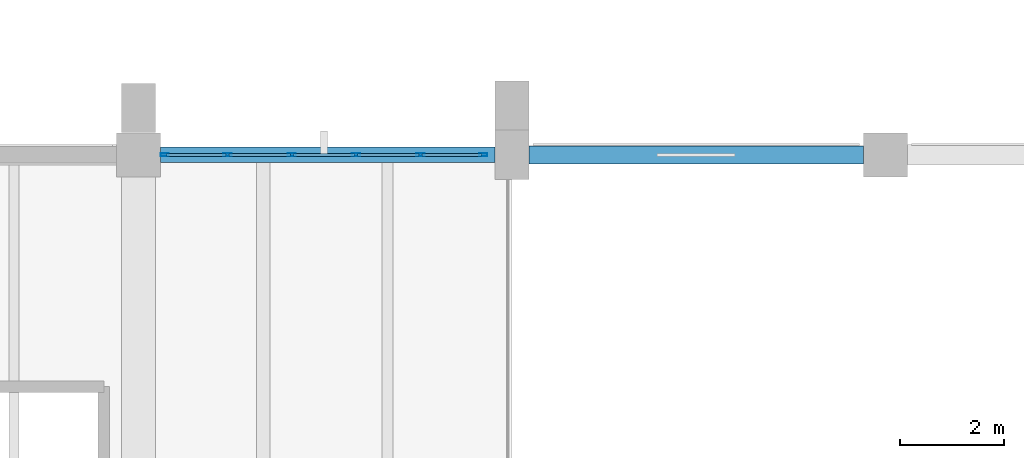
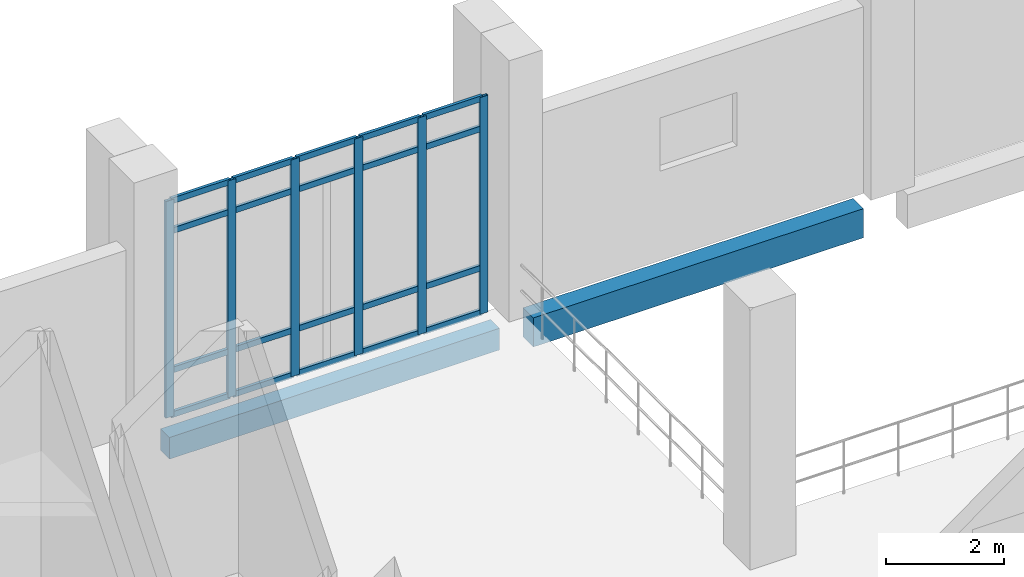
# One storey, part 56 of 110: 26 members, 2 beams, 1 element without a shape of its own.
"""IFC4 building model written with IfcOpenShell, lengths in metres."""

from ifc_helpers import new_model, si_unit, direction, frame, origin, origin_2d, place, context, subcontext, project, spatial, rectangle, hollow_rectangle, extrude, material, material_profile, profile_set, type_object, element, aggregate, save


model = new_model("IFC4")

# Units and contexts
model_context = context("Model", 3, precision=1e-05, world=origin(), true_north=direction((0.0, 1.0)))
body_context = subcontext(model_context, "Body", "Model", "MODEL_VIEW")
ifc_project = project(units=[si_unit("LENGTHUNIT", "METRE"), si_unit("AREAUNIT", "SQUARE_METRE"), si_unit("VOLUMEUNIT", "CUBIC_METRE"), si_unit("PLANEANGLEUNIT", "RADIAN"), si_unit("MASSUNIT", "GRAM", prefix="KILO")], contexts=[model_context])

# Site, building, storey
site_placement = place(None, origin())
site = spatial("IfcSite", under=ifc_project, at=site_placement, CompositionType="ELEMENT")
building_placement = place(site_placement, origin())
building = spatial("IfcBuilding", under=site, at=building_placement, Name="Kalluvel Institute of Natural Sciences", CompositionType="ELEMENT")
storey_placement = place(building_placement, origin())
storey = spatial("IfcBuildingStorey", under=building, at=storey_placement, Name="L00", CompositionType="ELEMENT", Elevation=0.0)

# Curtain wall, members
ifc_material_1 = material(Name="Aluminium AW-6063 T6", Category="aluminium")
curtain_wall_type = type_object("IfcCurtainWallType", Name="CW-WET-54", PredefinedType="USERDEFINED", material=ifc_material_1)
curtain_wall_placement = place(storey_placement, origin())
curtain_wall = element("IfcCurtainWall", 1, at=curtain_wall_placement, inside=storey, type_object=curtain_wall_type, Name="L00 Gothic lancet curtain wall CWA-L00-X793-Y1280", ObjectType="UNITISED LANCET FACADE", PredefinedType="USERDEFINED")
ifc_material_profile_1 = material_profile(ifc_material_1, hollow_rectangle(XDim=0.06005859375, YDim=0.159912109375, WallThickness=0.00390625, at=origin_2d()), Name="CWM 60x160")
ifc_profile_set_1 = profile_set([ifc_material_profile_1], Name="Aluminium AW-6063 T6")
member_type_1 = type_object("IfcMemberType", Name="CWM-60x160", PredefinedType="MULLION", material=ifc_profile_set_1)
member_1_placement = place(storey_placement, frame((79.304931640625, 128.0, 0.0), z_axis=(0.0, 0.0, 1.0), x_axis=(0.0, 1.0, 0.0)))
member_1 = element("IfcMember", 2, at=member_1_placement, type_object=member_type_1, Name="CW-02 mullion 1", PredefinedType="MULLION", context=body_context, shape_type="SweptSolid", body=[
    extrude(hollow_rectangle(XDim=0.06005859375, YDim=0.159912109375, WallThickness=0.00390625, at=origin_2d()), origin(), (0.0, 0.0, 1.0), 4.47998046875),
])
member_2_placement = place(storey_placement, frame((80.514892578125, 128.0, 0.0), z_axis=(0.0, 0.0, 1.0), x_axis=(0.0, 1.0, 0.0)))
member_2 = element("IfcMember", 3, at=member_2_placement, type_object=member_type_1, Name="CW-02 mullion 2", PredefinedType="MULLION", context=body_context, shape_type="SweptSolid", body=[
    extrude(hollow_rectangle(XDim=0.06005859375, YDim=0.159912109375, WallThickness=0.00390625, at=origin_2d()), origin(), (0.0, 0.0, 1.0), 4.47998046875),
])
member_3_placement = place(storey_placement, frame((81.7548828125, 128.0, 0.0), z_axis=(0.0, 0.0, 1.0), x_axis=(0.0, 1.0, 0.0)))
member_3 = element("IfcMember", 4, at=member_3_placement, type_object=member_type_1, Name="CW-02 mullion 3", PredefinedType="MULLION", context=body_context, shape_type="SweptSolid", body=[
    extrude(hollow_rectangle(XDim=0.06005859375, YDim=0.159912109375, WallThickness=0.00390625, at=origin_2d()), origin(), (0.0, 0.0, 1.0), 4.47998046875),
])
member_4_placement = place(storey_placement, frame((82.9951171875, 128.0, 0.0), z_axis=(0.0, 0.0, 1.0), x_axis=(0.0, 1.0, 0.0)))
member_4 = element("IfcMember", 5, at=member_4_placement, type_object=member_type_1, Name="CW-02 mullion 4", PredefinedType="MULLION", context=body_context, shape_type="SweptSolid", body=[
    extrude(hollow_rectangle(XDim=0.06005859375, YDim=0.159912109375, WallThickness=0.00390625, at=origin_2d()), origin(), (0.0, 0.0, 1.0), 4.47998046875),
])
member_5_placement = place(storey_placement, frame((84.235107421875, 128.0, 0.0), z_axis=(0.0, 0.0, 1.0), x_axis=(0.0, 1.0, 0.0)))
member_5 = element("IfcMember", 6, at=member_5_placement, type_object=member_type_1, Name="CW-02 mullion 5", PredefinedType="MULLION", context=body_context, shape_type="SweptSolid", body=[
    extrude(hollow_rectangle(XDim=0.06005859375, YDim=0.159912109375, WallThickness=0.00390625, at=origin_2d()), origin(), (0.0, 0.0, 1.0), 4.47998046875),
])
member_6_placement = place(storey_placement, frame((85.445068359375, 128.0, 0.0), z_axis=(0.0, 0.0, 1.0), x_axis=(0.0, 1.0, 0.0)))
member_6 = element("IfcMember", 7, at=member_6_placement, type_object=member_type_1, Name="CW-02 mullion 6", PredefinedType="MULLION", context=body_context, shape_type="SweptSolid", body=[
    extrude(hollow_rectangle(XDim=0.06005859375, YDim=0.159912109375, WallThickness=0.00390625, at=origin_2d()), origin(), (0.0, 0.0, 1.0), 4.47998046875),
])
ifc_material_profile_2 = material_profile(ifc_material_1, hollow_rectangle(XDim=0.06005859375, YDim=0.1201171875, WallThickness=0.00390625, at=origin_2d()), Name="CWT 60x120")
ifc_profile_set_2 = profile_set([ifc_material_profile_2], Name="Aluminium AW-6063 T6")
member_type_2 = type_object("IfcMemberType", Name="CWT-60x120", PredefinedType="USERDEFINED", material=ifc_profile_set_2)
member_7_placement = place(storey_placement, frame((79.3349609375, 128.0, 0.030029296875), z_axis=(1.0, 0.0, 0.0), x_axis=(0.0, 1.0, 0.0)))
member_7 = element("IfcMember", 8, at=member_7_placement, type_object=member_type_2, Name="CW-02 transom 1.1", ObjectType="TRANSOM", PredefinedType="USERDEFINED", context=body_context, shape_type="SweptSolid", body=[
    extrude(hollow_rectangle(XDim=0.06005859375, YDim=0.1201171875, WallThickness=0.00390625, at=origin_2d()), origin(), (0.0, 0.0, 1.0), 1.150146484375),
])
member_8_placement = place(storey_placement, frame((79.3349609375, 128.0, 0.949951171875), z_axis=(1.0, 0.0, 0.0), x_axis=(0.0, 1.0, 0.0)))
member_8 = element("IfcMember", 9, at=member_8_placement, type_object=member_type_2, Name="CW-02 transom 1.2", ObjectType="TRANSOM", PredefinedType="USERDEFINED", context=body_context, shape_type="SweptSolid", body=[
    extrude(hollow_rectangle(XDim=0.06005859375, YDim=0.1201171875, WallThickness=0.00390625, at=origin_2d()), origin(), (0.0, 0.0, 1.0), 1.150146484375),
])
member_9_placement = place(storey_placement, frame((79.3349609375, 128.0, 3.830078125), z_axis=(1.0, 0.0, 0.0), x_axis=(0.0, 1.0, 0.0)))
member_9 = element("IfcMember", 10, at=member_9_placement, type_object=member_type_2, Name="CW-02 transom 1.3", ObjectType="TRANSOM", PredefinedType="USERDEFINED", context=body_context, shape_type="SweptSolid", body=[
    extrude(hollow_rectangle(XDim=0.06005859375, YDim=0.1201171875, WallThickness=0.00390625, at=origin_2d()), origin(), (0.0, 0.0, 1.0), 1.150146484375),
])
member_10_placement = place(storey_placement, frame((79.3349609375, 128.0, 4.449951171875), z_axis=(1.0, 0.0, 0.0), x_axis=(0.0, 1.0, 0.0)))
member_10 = element("IfcMember", 11, at=member_10_placement, type_object=member_type_2, Name="CW-02 transom 1.4", ObjectType="TRANSOM", PredefinedType="USERDEFINED", context=body_context, shape_type="SweptSolid", body=[
    extrude(hollow_rectangle(XDim=0.06005859375, YDim=0.1201171875, WallThickness=0.00390625, at=origin_2d()), origin(), (0.0, 0.0, 1.0), 1.150146484375),
])
member_11_placement = place(storey_placement, frame((80.544921875, 128.0, 0.030029296875), z_axis=(1.0, 0.0, 0.0), x_axis=(0.0, 1.0, 0.0)))
member_11 = element("IfcMember", 12, at=member_11_placement, type_object=member_type_2, Name="CW-02 transom 2.1", ObjectType="TRANSOM", PredefinedType="USERDEFINED", context=body_context, shape_type="SweptSolid", body=[
    extrude(hollow_rectangle(XDim=0.06005859375, YDim=0.1201171875, WallThickness=0.00390625, at=origin_2d()), origin(), (0.0, 0.0, 1.0), 1.18017578125),
])
member_12_placement = place(storey_placement, frame((80.544921875, 128.0, 0.949951171875), z_axis=(1.0, 0.0, 0.0), x_axis=(0.0, 1.0, 0.0)))
member_12 = element("IfcMember", 13, at=member_12_placement, type_object=member_type_2, Name="CW-02 transom 2.2", ObjectType="TRANSOM", PredefinedType="USERDEFINED", context=body_context, shape_type="SweptSolid", body=[
    extrude(hollow_rectangle(XDim=0.06005859375, YDim=0.1201171875, WallThickness=0.00390625, at=origin_2d()), origin(), (0.0, 0.0, 1.0), 1.18017578125),
])
member_13_placement = place(storey_placement, frame((80.544921875, 128.0, 3.830078125), z_axis=(1.0, 0.0, 0.0), x_axis=(0.0, 1.0, 0.0)))
member_13 = element("IfcMember", 14, at=member_13_placement, type_object=member_type_2, Name="CW-02 transom 2.3", ObjectType="TRANSOM", PredefinedType="USERDEFINED", context=body_context, shape_type="SweptSolid", body=[
    extrude(hollow_rectangle(XDim=0.06005859375, YDim=0.1201171875, WallThickness=0.00390625, at=origin_2d()), origin(), (0.0, 0.0, 1.0), 1.18017578125),
])
member_14_placement = place(storey_placement, frame((80.544921875, 128.0, 4.449951171875), z_axis=(1.0, 0.0, 0.0), x_axis=(0.0, 1.0, 0.0)))
member_14 = element("IfcMember", 15, at=member_14_placement, type_object=member_type_2, Name="CW-02 transom 2.4", ObjectType="TRANSOM", PredefinedType="USERDEFINED", context=body_context, shape_type="SweptSolid", body=[
    extrude(hollow_rectangle(XDim=0.06005859375, YDim=0.1201171875, WallThickness=0.00390625, at=origin_2d()), origin(), (0.0, 0.0, 1.0), 1.18017578125),
])
member_15_placement = place(storey_placement, frame((81.784912109375, 128.0, 0.030029296875), z_axis=(1.0, 0.0, 0.0), x_axis=(0.0, 1.0, 0.0)))
member_15 = element("IfcMember", 16, at=member_15_placement, type_object=member_type_2, Name="CW-02 transom 3.1", ObjectType="TRANSOM", PredefinedType="USERDEFINED", context=body_context, shape_type="SweptSolid", body=[
    extrude(hollow_rectangle(XDim=0.06005859375, YDim=0.1201171875, WallThickness=0.00390625, at=origin_2d()), origin(), (0.0, 0.0, 1.0), 1.18017578125),
])
member_16_placement = place(storey_placement, frame((81.784912109375, 128.0, 0.949951171875), z_axis=(1.0, 0.0, 0.0), x_axis=(0.0, 1.0, 0.0)))
member_16 = element("IfcMember", 17, at=member_16_placement, type_object=member_type_2, Name="CW-02 transom 3.2", ObjectType="TRANSOM", PredefinedType="USERDEFINED", context=body_context, shape_type="SweptSolid", body=[
    extrude(hollow_rectangle(XDim=0.06005859375, YDim=0.1201171875, WallThickness=0.00390625, at=origin_2d()), origin(), (0.0, 0.0, 1.0), 1.18017578125),
])
member_17_placement = place(storey_placement, frame((81.784912109375, 128.0, 3.830078125), z_axis=(1.0, 0.0, 0.0), x_axis=(0.0, 1.0, 0.0)))
member_17 = element("IfcMember", 18, at=member_17_placement, type_object=member_type_2, Name="CW-02 transom 3.3", ObjectType="TRANSOM", PredefinedType="USERDEFINED", context=body_context, shape_type="SweptSolid", body=[
    extrude(hollow_rectangle(XDim=0.06005859375, YDim=0.1201171875, WallThickness=0.00390625, at=origin_2d()), origin(), (0.0, 0.0, 1.0), 1.18017578125),
])
member_18_placement = place(storey_placement, frame((81.784912109375, 128.0, 4.449951171875), z_axis=(1.0, 0.0, 0.0), x_axis=(0.0, 1.0, 0.0)))
member_18 = element("IfcMember", 19, at=member_18_placement, type_object=member_type_2, Name="CW-02 transom 3.4", ObjectType="TRANSOM", PredefinedType="USERDEFINED", context=body_context, shape_type="SweptSolid", body=[
    extrude(hollow_rectangle(XDim=0.06005859375, YDim=0.1201171875, WallThickness=0.00390625, at=origin_2d()), origin(), (0.0, 0.0, 1.0), 1.18017578125),
])
member_19_placement = place(storey_placement, frame((83.02490234375, 128.0, 0.030029296875), z_axis=(1.0, 0.0, 0.0), x_axis=(0.0, 1.0, 0.0)))
member_19 = element("IfcMember", 20, at=member_19_placement, type_object=member_type_2, Name="CW-02 transom 4.1", ObjectType="TRANSOM", PredefinedType="USERDEFINED", context=body_context, shape_type="SweptSolid", body=[
    extrude(hollow_rectangle(XDim=0.06005859375, YDim=0.1201171875, WallThickness=0.00390625, at=origin_2d()), origin(), (0.0, 0.0, 1.0), 1.18017578125),
])
member_20_placement = place(storey_placement, frame((83.02490234375, 128.0, 0.949951171875), z_axis=(1.0, 0.0, 0.0), x_axis=(0.0, 1.0, 0.0)))
member_20 = element("IfcMember", 21, at=member_20_placement, type_object=member_type_2, Name="CW-02 transom 4.2", ObjectType="TRANSOM", PredefinedType="USERDEFINED", context=body_context, shape_type="SweptSolid", body=[
    extrude(hollow_rectangle(XDim=0.06005859375, YDim=0.1201171875, WallThickness=0.00390625, at=origin_2d()), origin(), (0.0, 0.0, 1.0), 1.18017578125),
])
member_21_placement = place(storey_placement, frame((83.02490234375, 128.0, 3.830078125), z_axis=(1.0, 0.0, 0.0), x_axis=(0.0, 1.0, 0.0)))
member_21 = element("IfcMember", 22, at=member_21_placement, type_object=member_type_2, Name="CW-02 transom 4.3", ObjectType="TRANSOM", PredefinedType="USERDEFINED", context=body_context, shape_type="SweptSolid", body=[
    extrude(hollow_rectangle(XDim=0.06005859375, YDim=0.1201171875, WallThickness=0.00390625, at=origin_2d()), origin(), (0.0, 0.0, 1.0), 1.18017578125),
])
member_22_placement = place(storey_placement, frame((83.02490234375, 128.0, 4.449951171875), z_axis=(1.0, 0.0, 0.0), x_axis=(0.0, 1.0, 0.0)))
member_22 = element("IfcMember", 23, at=member_22_placement, type_object=member_type_2, Name="CW-02 transom 4.4", ObjectType="TRANSOM", PredefinedType="USERDEFINED", context=body_context, shape_type="SweptSolid", body=[
    extrude(hollow_rectangle(XDim=0.06005859375, YDim=0.1201171875, WallThickness=0.00390625, at=origin_2d()), origin(), (0.0, 0.0, 1.0), 1.18017578125),
])
member_23_placement = place(storey_placement, frame((84.264892578125, 128.0, 0.030029296875), z_axis=(1.0, 0.0, 0.0), x_axis=(0.0, 1.0, 0.0)))
member_23 = element("IfcMember", 24, at=member_23_placement, type_object=member_type_2, Name="CW-02 transom 5.1", ObjectType="TRANSOM", PredefinedType="USERDEFINED", context=body_context, shape_type="SweptSolid", body=[
    extrude(hollow_rectangle(XDim=0.06005859375, YDim=0.1201171875, WallThickness=0.00390625, at=origin_2d()), origin(), (0.0, 0.0, 1.0), 1.150146484375),
])
member_24_placement = place(storey_placement, frame((84.264892578125, 128.0, 0.949951171875), z_axis=(1.0, 0.0, 0.0), x_axis=(0.0, 1.0, 0.0)))
member_24 = element("IfcMember", 25, at=member_24_placement, type_object=member_type_2, Name="CW-02 transom 5.2", ObjectType="TRANSOM", PredefinedType="USERDEFINED", context=body_context, shape_type="SweptSolid", body=[
    extrude(hollow_rectangle(XDim=0.06005859375, YDim=0.1201171875, WallThickness=0.00390625, at=origin_2d()), origin(), (0.0, 0.0, 1.0), 1.150146484375),
])
member_25_placement = place(storey_placement, frame((84.264892578125, 128.0, 3.830078125), z_axis=(1.0, 0.0, 0.0), x_axis=(0.0, 1.0, 0.0)))
member_25 = element("IfcMember", 26, at=member_25_placement, type_object=member_type_2, Name="CW-02 transom 5.3", ObjectType="TRANSOM", PredefinedType="USERDEFINED", context=body_context, shape_type="SweptSolid", body=[
    extrude(hollow_rectangle(XDim=0.06005859375, YDim=0.1201171875, WallThickness=0.00390625, at=origin_2d()), origin(), (0.0, 0.0, 1.0), 1.150146484375),
])
member_26_placement = place(storey_placement, frame((84.264892578125, 128.0, 4.449951171875), z_axis=(1.0, 0.0, 0.0), x_axis=(0.0, 1.0, 0.0)))
member_26 = element("IfcMember", 27, at=member_26_placement, type_object=member_type_2, Name="CW-02 transom 5.4", ObjectType="TRANSOM", PredefinedType="USERDEFINED", context=body_context, shape_type="SweptSolid", body=[
    extrude(hollow_rectangle(XDim=0.06005859375, YDim=0.1201171875, WallThickness=0.00390625, at=origin_2d()), origin(), (0.0, 0.0, 1.0), 1.150146484375),
])
aggregate(curtain_wall, [member_1, member_2, member_3, member_4, member_5, member_6, member_7, member_8, member_9, member_10, member_11, member_12, member_13, member_14, member_15, member_16, member_17, member_18, member_19, member_20, member_21, member_22, member_23, member_24, member_25, member_26])

# Beams
ifc_material_2 = material(Name="Concrete M40", Category="concrete")
ifc_material_profile_3 = material_profile(ifc_material_2, rectangle(XDim=0.300048828125, YDim=0.449951171875, at=origin_2d()), Name="RCB 300x450")
ifc_profile_set_3 = profile_set([ifc_material_profile_3], Name="Concrete M40")
beam_type_1 = type_object("IfcBeamType", Name="SP-RC300x450", PredefinedType="SPANDREL", material=ifc_profile_set_3)
beam_1_placement = place(storey_placement, frame((79.22509765625, 128.0, -0.544921875), z_axis=(1.0, 0.0, 0.0), x_axis=(0.0, 1.0, 0.0)))
element("IfcBeam", 28, at=beam_1_placement, inside=storey, type_object=beam_type_1, Name="L00 girder GIR-L00-EW-X788-Y1280", PredefinedType="SPANDREL", context=body_context, shape_type="SweptSolid", body=[
    extrude(rectangle(XDim=0.300048828125, YDim=0.449951171875, at=origin_2d()), origin(), (0.0, 0.0, 1.0), 6.449951171875),
])
ifc_material_profile_4 = material_profile(ifc_material_2, rectangle(XDim=0.35009765625, YDim=0.60009765625, at=origin_2d()), Name="RCB 350x600")
ifc_profile_set_4 = profile_set([ifc_material_profile_4], Name="Concrete M40")
beam_type_2 = type_object("IfcBeamType", Name="SP-RC350x600", PredefinedType="SPANDREL", material=ifc_profile_set_4)
beam_2_placement = place(storey_placement, frame((86.324951171875, 128.0, -0.6201171875), z_axis=(1.0, 0.0, 0.0), x_axis=(0.0, 1.0, 0.0)))
element("IfcBeam", 29, at=beam_2_placement, inside=storey, type_object=beam_type_2, Name="L00 girder GIR-L00-EW-X860-Y1280", PredefinedType="SPANDREL", context=body_context, shape_type="SweptSolid", body=[
    extrude(rectangle(XDim=0.35009765625, YDim=0.60009765625, at=origin_2d()), origin(), (0.0, 0.0, 1.0), 6.449951171875),
])

save(model, "model.ifc")
